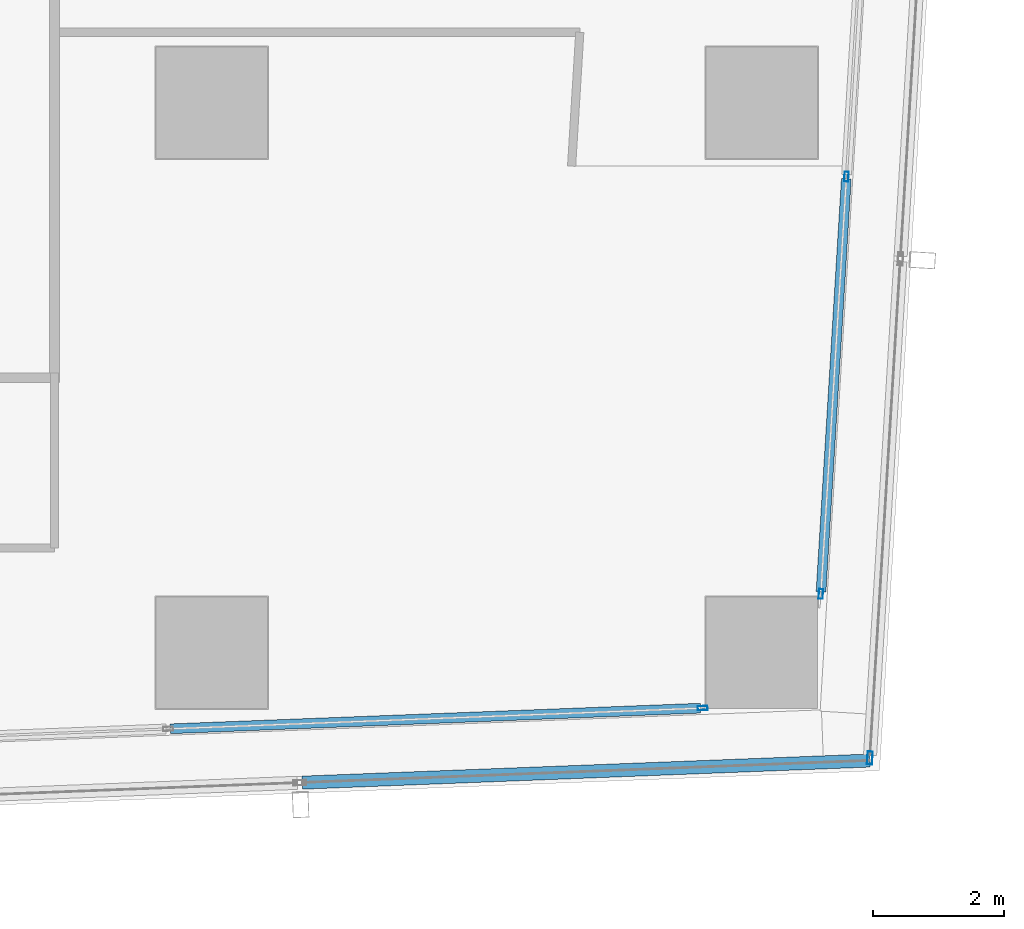
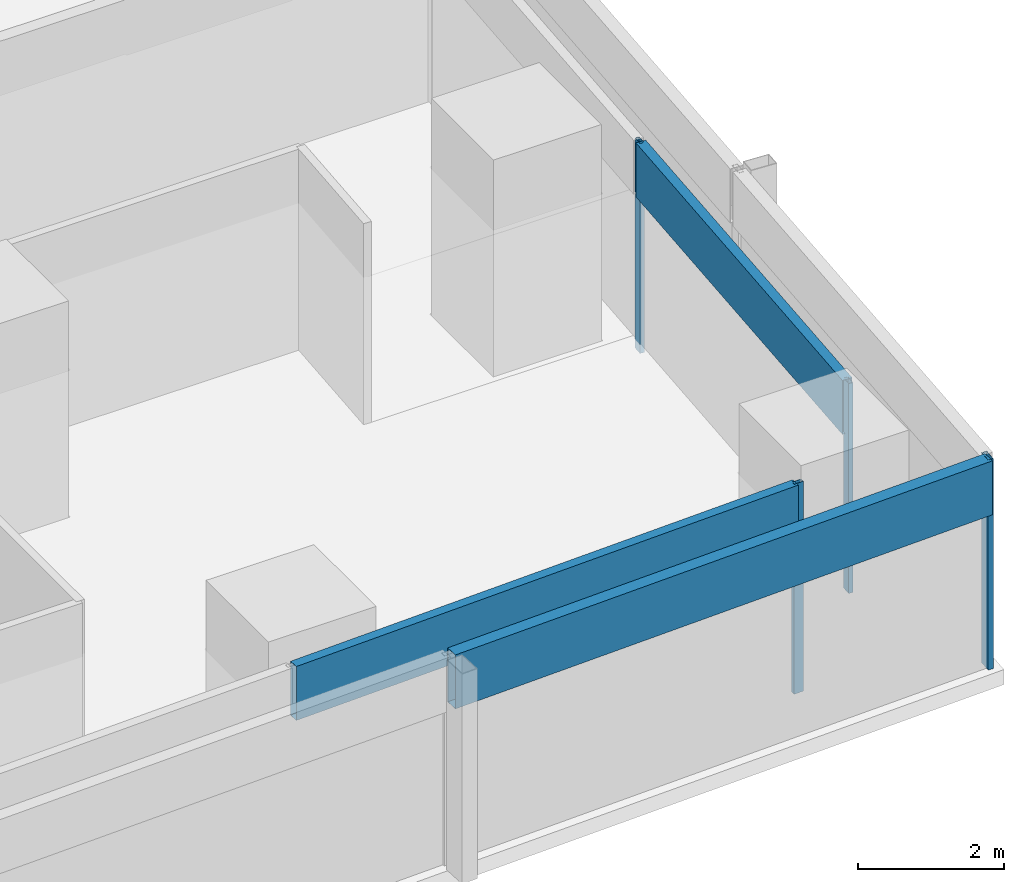
# One storey, part 12 of 40: 7 members, 4 elements without a shape of their own.
"""IFC4 building model written with IfcOpenShell, lengths in metres."""

from ifc_helpers import new_model, si_unit, direction, frame, origin, origin_2d, place, context, subcontext, project, spatial, hollow_rectangle, extrude, material, material_profile, profile_set, type_object, element, aggregate, save


model = new_model("IFC4")

# Units and contexts
model_context = context("Model", 3, precision=1e-05, world=origin(), true_north=direction((0.0, 1.0)))
body_context = subcontext(model_context, "Body", "Model", "MODEL_VIEW")
ifc_project = project(units=[si_unit("LENGTHUNIT", "METRE"), si_unit("AREAUNIT", "SQUARE_METRE"), si_unit("VOLUMEUNIT", "CUBIC_METRE"), si_unit("PLANEANGLEUNIT", "RADIAN"), si_unit("MASSUNIT", "GRAM", prefix="KILO")], contexts=[model_context])

# Site, building, storey
site_placement = place(None, origin())
site = spatial("IfcSite", under=ifc_project, at=site_placement, CompositionType="ELEMENT")
building_placement = place(site_placement, origin())
building = spatial("IfcBuilding", under=site, at=building_placement, Name="Rekha Terrace Tower", CompositionType="ELEMENT")
storey_placement = place(building_placement, frame((0.0, 0.0, 129.050048828125)))
storey = spatial("IfcBuildingStorey", under=building, at=storey_placement, Name="L32", CompositionType="ELEMENT", Elevation=129.050048828125)

# Curtain wall, member
ifc_material_1 = material(Name="Aluminium framing", Category="aluminium")
curtain_wall_type_1 = type_object("IfcCurtainWallType", Name="CW1 double skin inner glazing", PredefinedType="USERDEFINED", material=ifc_material_1)
curtain_wall_1_placement = place(storey_placement, origin())
curtain_wall_1 = element("IfcCurtainWall", 1, at=curtain_wall_1_placement, inside=storey, type_object=curtain_wall_type_1, Name="CW1 double skin inner glazing", ObjectType="DOUBLE SKIN INNER GLAZING", PredefinedType="USERDEFINED")
ifc_material_2 = material(Name="Aluminium mullion section", Category="aluminium")
ifc_material_profile_1 = material_profile(ifc_material_2, hollow_rectangle(XDim=0.06494140625, YDim=0.14990234375, WallThickness=0.00390625, at=origin_2d()), Name="AL RHS 65x150")
ifc_profile_set_1 = profile_set([ifc_material_profile_1], Name="Aluminium mullion section")
member_type_1 = type_object("IfcMemberType", Name="CW1 mullion RHS 65 x 150", PredefinedType="MULLION", material=ifc_profile_set_1)
member_1_placement = place(storey_placement, frame((66.29736328125, 15.95556640625, 0.0), z_axis=(0.0, 0.0, 1.0), x_axis=(-0.038889971345, 0.999243498917, 0.0)))
member_1 = element("IfcMember", 2, at=member_1_placement, type_object=member_type_1, Name="CW1 mullion 6", PredefinedType="MULLION", context=body_context, shape_type="SweptSolid", body=[
    extrude(hollow_rectangle(XDim=0.06494140625, YDim=0.14990234375, WallThickness=0.00390625, at=origin_2d()), origin(), (0.0, 0.0, 1.0), 3.5),
])

# Curtain wall, members
curtain_wall_2_placement = place(storey_placement, origin())
curtain_wall_2 = element("IfcCurtainWall", 3, at=curtain_wall_2_placement, inside=storey, type_object=curtain_wall_type_1, Name="CW1 double skin inner glazing", ObjectType="DOUBLE SKIN INNER GLAZING", PredefinedType="USERDEFINED")
member_2_placement = place(storey_placement, frame((68.103515625, 17.69921875, 0.0), z_axis=(0.0, 0.0, 1.0), x_axis=(-0.998127987026, 0.061159803096, 0.0)))
member_2 = element("IfcMember", 4, at=member_2_placement, type_object=member_type_1, Name="CW1 mullion 1", PredefinedType="MULLION", context=body_context, shape_type="SweptSolid", body=[
    extrude(hollow_rectangle(XDim=0.06494140625, YDim=0.14990234375, WallThickness=0.00390625, at=origin_2d()), origin(), (0.0, 0.0, 1.0), 3.5),
])
member_3_placement = place(storey_placement, frame((68.493896484375, 24.072509765625, 0.0), z_axis=(0.0, 0.0, 1.0), x_axis=(-0.998127987026, 0.061159803096, 0.0)))
member_3 = element("IfcMember", 5, at=member_3_placement, type_object=member_type_1, Name="CW1 mullion 2", PredefinedType="MULLION", context=body_context, shape_type="SweptSolid", body=[
    extrude(hollow_rectangle(XDim=0.06494140625, YDim=0.14990234375, WallThickness=0.00390625, at=origin_2d()), origin(), (0.0, 0.0, 1.0), 3.5),
])

# Member
ifc_material_3 = material(Name="Insulated aluminium spandrel box", Category="aluminium")
ifc_material_profile_2 = material_profile(ifc_material_3, hollow_rectangle(XDim=0.14990234375, YDim=0.89990234375, WallThickness=0.0029296875, at=origin_2d()), Name="AL SPANDREL BOX 150x900")
ifc_profile_set_2 = profile_set([ifc_material_profile_2], Name="Insulated aluminium spandrel box")
member_type_2 = type_object("IfcMemberType", Name="CW1 spandrel transom 150 x 900", PredefinedType="USERDEFINED", material=ifc_profile_set_2)
member_4_placement = place(storey_placement, frame((58.165771484375, 15.63916015625, 3.050048828125), z_axis=(0.999243585207, 0.038887754153, 0.0), x_axis=(-0.038887754153, 0.999243585207, 0.0)))
member_4 = element("IfcMember", 6, at=member_4_placement, type_object=member_type_2, Name="CW1 spandrel transom 5", ObjectType="TRANSOM", PredefinedType="USERDEFINED", context=body_context, shape_type="SweptSolid", body=[
    extrude(hollow_rectangle(XDim=0.14990234375, YDim=0.89990234375, WallThickness=0.0029296875, at=origin_2d()), origin(), (0.0, 0.0, 1.0), 8.10498046875),
])

aggregate(curtain_wall_1, [member_1, member_4])

member_5_placement = place(storey_placement, frame((68.10546875, 17.731689453125, 3.050048828125), z_axis=(0.061149333137, 0.998128628513, 0.0), x_axis=(-0.998128628513, 0.061149333137, 0.0)))
member_5 = element("IfcMember", 7, at=member_5_placement, type_object=member_type_2, Name="CW1 spandrel transom 1", ObjectType="TRANSOM", PredefinedType="USERDEFINED", context=body_context, shape_type="SweptSolid", body=[
    extrude(hollow_rectangle(XDim=0.14990234375, YDim=0.89990234375, WallThickness=0.0029296875, at=origin_2d()), origin(), (0.0, 0.0, 1.0), 6.320068359375),
])

aggregate(curtain_wall_2, [member_2, member_3, member_5])

# Curtain wall, member
curtain_wall_type_2 = type_object("IfcCurtainWallType", Name="CW2 double skin outer glazing", PredefinedType="USERDEFINED", material=ifc_material_1)
curtain_wall_3_placement = place(storey_placement, origin())
curtain_wall_3 = element("IfcCurtainWall", 8, at=curtain_wall_3_placement, inside=storey, type_object=curtain_wall_type_2, Name="CW2 double skin outer glazing", ObjectType="DOUBLE SKIN OUTER GLAZING", PredefinedType="USERDEFINED")
ifc_material_profile_3 = material_profile(ifc_material_2, hollow_rectangle(XDim=0.080078125, YDim=0.199951171875, WallThickness=0.00390625, at=origin_2d()), Name="AL RHS 80x200")
ifc_profile_set_3 = profile_set([ifc_material_profile_3], Name="Aluminium mullion section")
member_type_3 = type_object("IfcMemberType", Name="CW2 mullion RHS 80 x 200", PredefinedType="MULLION", material=ifc_profile_set_3)
member_6_placement = place(storey_placement, frame((68.8515625, 15.194091796875, 0.0), z_axis=(0.0, 0.0, 1.0), x_axis=(-0.998127987023, 0.061159803148, 0.0)))
member_6 = element("IfcMember", 9, at=member_6_placement, type_object=member_type_3, Name="CW2 mullion 1", PredefinedType="MULLION", context=body_context, shape_type="SweptSolid", body=[
    extrude(hollow_rectangle(XDim=0.080078125, YDim=0.199951171875, WallThickness=0.00390625, at=origin_2d()), origin(), (0.0, 0.0, 1.0), 3.5),
])
aggregate(curtain_wall_3, [member_6])

curtain_wall_4_placement = place(storey_placement, origin())
curtain_wall_4 = element("IfcCurtainWall", 10, at=curtain_wall_4_placement, inside=storey, type_object=curtain_wall_type_2, Name="CW2 double skin outer glazing", ObjectType="DOUBLE SKIN OUTER GLAZING", PredefinedType="USERDEFINED")
ifc_material_profile_4 = material_profile(ifc_material_3, hollow_rectangle(XDim=0.199951171875, YDim=0.89990234375, WallThickness=0.0029296875, at=origin_2d()), Name="AL SPANDREL BOX 200x900")
ifc_profile_set_4 = profile_set([ifc_material_profile_4], Name="Insulated aluminium spandrel box")
member_type_4 = type_object("IfcMemberType", Name="CW2 spandrel transom 200 x 900", PredefinedType="USERDEFINED", material=ifc_profile_set_4)
member_7_placement = place(storey_placement, frame((60.18408203125, 14.81689453125, 3.050048828125), z_axis=(0.99924276334, 0.038908866757, 0.0), x_axis=(-0.038908866757, 0.99924276334, 0.0)))
member_7 = element("IfcMember", 11, at=member_7_placement, type_object=member_type_4, Name="CW2 spandrel transom 5", ObjectType="TRANSOM", PredefinedType="USERDEFINED", context=body_context, shape_type="SweptSolid", body=[
    extrude(hollow_rectangle(XDim=0.199951171875, YDim=0.89990234375, WallThickness=0.0029296875, at=origin_2d()), origin(), (0.0, 0.0, 1.0), 8.671630859375),
])
aggregate(curtain_wall_4, [member_7])

save(model, "model.ifc")
